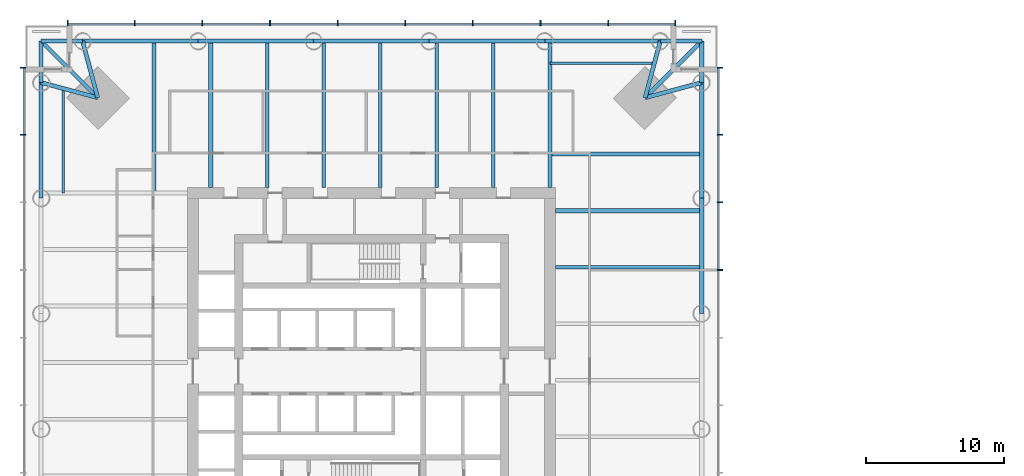
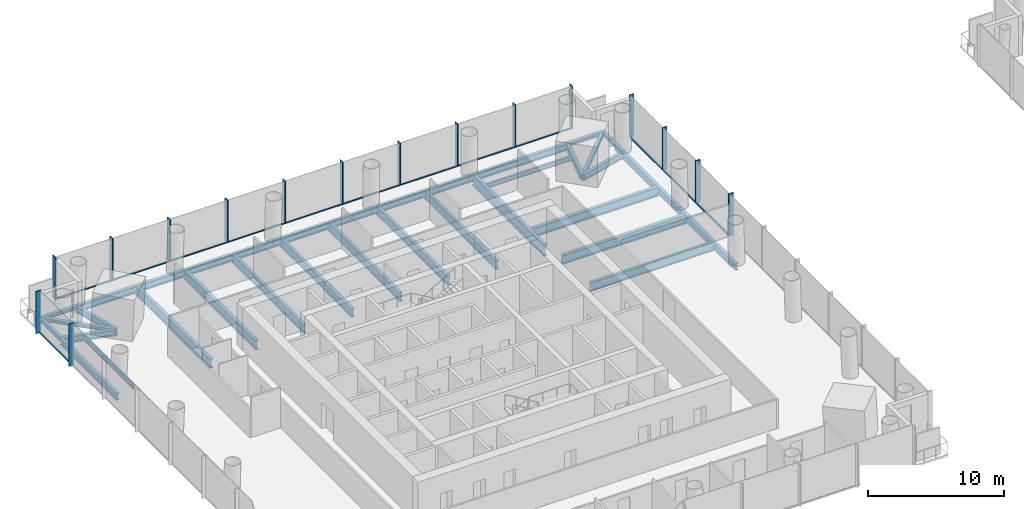
# One storey, part 4 of 19: 31 beams, 29 members, 3 elements without a shape of their own.
"""IFC4 building model written with IfcOpenShell, lengths in metres."""

import ifcopenshell
import ifcopenshell.guid

model = None  # the IFC model being written
_history = None  # IfcOwnerHistory: only IFC2X3 demands one
_inside = {}  # id of a spatial element -> (the spatial element, [elements in it])
_under = {}  # id of a project, library or spatial element -> (it, [spatial elements below it])
_declared = {}  # id of a project -> (the project, [libraries it declares])
_typed = {}  # id of a type object -> (the type object, [elements of that type])
_made_of = {}  # id of a material, layer set ... -> (it, [elements and type objects made of it])


def new_model(schema):
    """Start an empty IFC model of exactly this schema.

    Asked for "IFC4X3", IfcOpenShell would pick the latest addendum, in which some entities
    have other attributes; the version numbers below select the first issue.
    IFC2X3 requires an IfcOwnerHistory on every rooted entity: one is made here for all.
    """
    global model, _history
    if schema == "IFC4X3":
        model = ifcopenshell.file(schema_version=(4, 3, 0, 0))
    else:
        model = ifcopenshell.file(schema=schema)
    _inside.clear()
    _under.clear()
    _declared.clear()
    _typed.clear()
    _made_of.clear()
    _history = None
    if model.schema == "IFC2X3":
        org = make("IfcOrganization", Name="unknown")
        user = make(
            "IfcPersonAndOrganization",
            ThePerson=make("IfcPerson", FamilyName="unknown"),
            TheOrganization=org,
        )
        app = make(
            "IfcApplication",
            ApplicationDeveloper=org,
            Version="unknown",
            ApplicationFullName="unknown",
            ApplicationIdentifier="unknown",
        )
        _history = make(
            "IfcOwnerHistory",
            OwningUser=user,
            OwningApplication=app,
            ChangeAction="ADDED",
            CreationDate=0,
        )
    return model


def make(cls, **values):
    """One entity of the class cls with the attributes given. An attribute that is None is left unset."""
    return model.create_entity(
        cls, **{name: value for name, value in values.items() if value is not None}
    )


def rooted(cls, **values):
    """An entity with a GlobalId (a new one), such as an element, a storey or a relation."""
    return make(cls, GlobalId=ifcopenshell.guid.new(), OwnerHistory=_history, **values)


def si_unit(unit_type, name, prefix=None):
    """IfcSIUnit, for example si_unit("LENGTHUNIT", "METRE", prefix="MILLI")."""
    return make("IfcSIUnit", UnitType=unit_type, Prefix=prefix, Name=name)


def assignment(units):
    """IfcUnitAssignment: the units of a project."""
    return None if units is None else make("IfcUnitAssignment", Units=units)


def point(xyz):
    """IfcCartesianPoint."""
    return None if xyz is None else make("IfcCartesianPoint", Coordinates=xyz)


def direction(xyz):
    """IfcDirection."""
    return None if xyz is None else make("IfcDirection", DirectionRatios=xyz)


def frame(location, z_axis=None, x_axis=None):
    """IfcAxis2Placement3D, a coordinate frame: its origin and axes. An axis left out is left unset."""
    return make(
        "IfcAxis2Placement3D",
        Location=point(location),
        Axis=direction(z_axis),
        RefDirection=direction(x_axis),
    )


def frame_2d(location, x_axis=None):
    """IfcAxis2Placement2D, a coordinate frame in the plane: its origin and x axis."""
    return make(
        "IfcAxis2Placement2D", Location=point(location), RefDirection=direction(x_axis)
    )


def origin():
    """The frame at (0, 0, 0) with its axes left unset."""
    return frame((0.0, 0.0, 0.0))


def origin_2d():
    """The frame at (0, 0) in the plane with its x axis left unset."""
    return frame_2d((0.0, 0.0))


def place(relative_to, where):
    """IfcLocalPlacement: puts the frame where relative to a parent placement (None: the world)."""
    return make(
        "IfcLocalPlacement", PlacementRelTo=relative_to, RelativePlacement=where
    )


def context(
    kind, dimensions, precision=None, world=None, true_north=None, identifier=None
):
    """IfcGeometricRepresentationContext, for example the 3D "Model" context."""
    return make(
        "IfcGeometricRepresentationContext",
        ContextIdentifier=identifier,
        ContextType=kind,
        CoordinateSpaceDimension=dimensions,
        Precision=precision,
        WorldCoordinateSystem=world,
        TrueNorth=true_north,
    )


def subcontext(parent, identifier, kind, view, scale=None):
    """IfcGeometricRepresentationSubContext, for example "Body" below "Model"."""
    return make(
        "IfcGeometricRepresentationSubContext",
        ContextIdentifier=identifier,
        ContextType=kind,
        ParentContext=parent,
        TargetScale=scale,
        TargetView=view,
    )


def project(units=None, contexts=None):
    """IfcProject with its units and contexts."""
    return rooted(
        "IfcProject",
        Name="project",
        RepresentationContexts=contexts,
        UnitsInContext=assignment(units),
    )


def spatial(cls, under=None, at=None, **own):
    """A site, building, storey or space (cls), placed at a placement, below another one or the project."""
    s = rooted(cls, ObjectPlacement=at, **own)
    if under is not None:
        _under.setdefault(under.id(), (under, []))[1].append(s)
    return s


def profile(cls, at=None, kind="AREA", **sizes):
    """A parametric profile (cls). Its sizes go by their IFC names, for example OverallWidth=200.0."""
    return make(cls, ProfileType=kind, Position=at, **sizes)


def rectangle(**sizes):
    """IfcRectangleProfileDef."""
    return profile("IfcRectangleProfileDef", **sizes)


def i_section(**sizes):
    """IfcIShapeProfileDef."""
    return profile("IfcIShapeProfileDef", **sizes)


def extrude(swept, where, along, depth):
    """IfcExtrudedAreaSolid: the profile swept, set in the frame where, extruded along a direction by depth."""
    return make(
        "IfcExtrudedAreaSolid",
        SweptArea=swept,
        Position=where,
        ExtrudedDirection=direction(along),
        Depth=depth,
    )


def shape(context_of_items, identifier, shape_type, items):
    """IfcShapeRepresentation: the items that make up one representation, for example the "Body"."""
    return make(
        "IfcShapeRepresentation",
        ContextOfItems=context_of_items,
        RepresentationIdentifier=identifier,
        RepresentationType=shape_type,
        Items=items,
    )


def material(Name=None, Category=None):
    """IfcMaterial."""
    return make("IfcMaterial", Name=Name, Category=Category)


def material_profile(
    of_material, cross_section, Name=None, Category=None, Priority=None
):
    """IfcMaterialProfile: a cross section and its material."""
    return make(
        "IfcMaterialProfile",
        Name=Name,
        Material=of_material,
        Profile=cross_section,
        Priority=Priority,
        Category=Category,
    )


def profile_set(profiles, Name=None, composite=None):
    """IfcMaterialProfileSet."""
    return make(
        "IfcMaterialProfileSet",
        Name=Name,
        MaterialProfiles=profiles,
        CompositeProfile=composite,
    )


def made_of(thing, what):
    """Note that an element or type object is made of a material, layer set ...; save() writes the relation."""
    if what is not None:
        _made_of.setdefault(what.id(), (what, []))[1].append(thing)
    return thing


def type_object(cls, material=None, **own):
    """A type object (cls), such as IfcWallType, which elements share."""
    return made_of(rooted(cls, **own), material)


def element(
    cls,
    number,
    at=None,
    inside=None,
    cuts=None,
    type_object=None,
    material=None,
    context=None,
    identifier="Body",
    shape_type=None,
    held_by="IfcProductDefinitionShape",
    body=None,
    shapes=None,
    **own,
):
    """One element of the class cls, such as IfcWall. Its Tag is "e" and its number.

    at: its placement. inside: the storey or other place that contains it. cuts: it is an
    opening in that element (IfcRelVoidsElement). A single representation is given by context,
    identifier, shape_type and body (its items); several are given by shapes. held_by: the class
    of the entity that holds the representations. save() writes the other relations.
    """
    e = rooted(cls, Tag="e%d" % number, ObjectPlacement=at, **own)
    if body is not None:
        shapes = [shape(context, identifier, shape_type, body)]
    if shapes is not None:
        e.Representation = make(held_by, Representations=shapes)
    if inside is not None:
        _inside.setdefault(inside.id(), (inside, []))[1].append(e)
    if cuts is not None:
        rooted(
            "IfcRelVoidsElement", RelatingBuildingElement=cuts, RelatedOpeningElement=e
        )
    if type_object is not None:
        _typed.setdefault(type_object.id(), (type_object, []))[1].append(e)
    return made_of(e, material)


def aggregate(whole, parts):
    """IfcRelAggregates: a whole, such as a stair, and the parts it consists of."""
    return rooted("IfcRelAggregates", RelatingObject=whole, RelatedObjects=parts)


def save(model, path):
    """Write the relations noted so far, then the file.

    IfcRelAggregates (storeys below a building ...), IfcRelContainedInSpatialStructure (elements
    in a storey), IfcRelDefinesByType, IfcRelAssociatesMaterial and IfcRelDeclares: one each for
    every whole, place, type object, material and project.
    """
    for whole, parts in _under.values():
        aggregate(whole, parts)
    for where, things in _inside.values():
        rooted(
            "IfcRelContainedInSpatialStructure",
            RelatedElements=things,
            RelatingStructure=where,
        )
    for kind, things in _typed.values():
        rooted("IfcRelDefinesByType", RelatedObjects=things, RelatingType=kind)
    for what, things in _made_of.values():
        rooted("IfcRelAssociatesMaterial", RelatedObjects=things, RelatingMaterial=what)
    for by, libraries in _declared.values():
        rooted("IfcRelDeclares", RelatingContext=by, RelatedDefinitions=libraries)
    model.write(path)


model = new_model("IFC4")

# Units and contexts
model_context = context("Model", 3, precision=1e-05, world=origin(), true_north=direction((0.0, 1.0)))
body_context = subcontext(model_context, "Body", "Model", "MODEL_VIEW")
ifc_project = project(units=[si_unit("LENGTHUNIT", "METRE"), si_unit("AREAUNIT", "SQUARE_METRE"), si_unit("VOLUMEUNIT", "CUBIC_METRE"), si_unit("PLANEANGLEUNIT", "RADIAN"), si_unit("MASSUNIT", "GRAM", prefix="KILO")], contexts=[model_context])

# Site, building, storey
site_placement = place(None, origin())
site = spatial("IfcSite", under=ifc_project, at=site_placement, CompositionType="ELEMENT")
building_placement = place(site_placement, origin())
building = spatial("IfcBuilding", under=site, at=building_placement, Name="Ostroluk Exchange", CompositionType="ELEMENT")
storey_placement = place(building_placement, frame((0.0, 0.0, 24.800048828125)))
storey = spatial("IfcBuildingStorey", under=building, at=storey_placement, Name="L05", CompositionType="ELEMENT", Elevation=24.800048828125)

# Beams
ifc_material_1 = material(Name="Steel S355", Category="steel")
ifc_material_profile_1 = material_profile(ifc_material_1, i_section(OverallWidth=0.300048828125, OverallDepth=0.300048828125, WebThickness=0.010986328125, FlangeThickness=0.01904296875, FilletRadius=0.027099609375, at=origin_2d()), Name="HEB 300")
ifc_profile_set_1 = profile_set([ifc_material_profile_1], Name="Steel S355")
beam_type_1 = type_object("IfcBeamType", Name="Balcony beam HEB 300", PredefinedType="BEAM", material=ifc_profile_set_1)
for number, where, z_axis, x_axis, name in (
    (1, (68.878662109375, 66.878662109375, -0.330078125), (0.0, 1.0, 0.0), (-1.0, 0.0, 0.0), "T1 east balcony beam a"),
    (2, (65.878662109375, 69.878662109375, -0.330078125), (1.0, 0.0, 0.0), (0.0, 1.0, 0.0), "T1 east balcony beam b"),
):
    element("IfcBeam", number, at=place(storey_placement, frame(where, z_axis=z_axis, x_axis=x_axis)), inside=storey, type_object=beam_type_1, Name=name, PredefinedType="BEAM", context=body_context, shape_type="SweptSolid", body=[
        extrude(i_section(OverallWidth=0.300048828125, OverallDepth=0.300048828125, WebThickness=0.010986328125, FlangeThickness=0.01904296875, FilletRadius=0.027099609375, at=origin_2d()), origin(), (0.0, 0.0, 1.0), 3.0),
    ])
beam_1_placement = place(storey_placement, frame((64.778564453125, 65.778564453125, -0.330078125), z_axis=(0.707106781187, 0.707106781187, 0.0), x_axis=(-0.707106781187, 0.707106781187, 0.0)))
element("IfcBeam", 3, at=beam_1_placement, inside=storey, type_object=beam_type_1, Name="T1 east balcony beam c", PredefinedType="BEAM", context=body_context, shape_type="SweptSolid", body=[
    extrude(i_section(OverallWidth=0.300048828125, OverallDepth=0.300048828125, WebThickness=0.010986328125, FlangeThickness=0.01904296875, FilletRadius=0.027099609375, at=origin_2d()), origin(), (0.0, 0.0, 1.0), 5.79833984375),
])
for number, where, z_axis, x_axis, name in (
    (4, (24.121337890625, 69.878662109375, -0.330078125), (-1.0, 0.0, 0.0), (0.0, -1.0, 0.0), "T1 north balcony beam a"),
    (5, (21.121337890625, 66.878662109375, -0.330078125), (0.0, 1.0, 0.0), (-1.0, 0.0, 0.0), "T1 north balcony beam b"),
):
    element("IfcBeam", number, at=place(storey_placement, frame(where, z_axis=z_axis, x_axis=x_axis)), inside=storey, type_object=beam_type_1, Name=name, PredefinedType="BEAM", context=body_context, shape_type="SweptSolid", body=[
        extrude(i_section(OverallWidth=0.300048828125, OverallDepth=0.300048828125, WebThickness=0.010986328125, FlangeThickness=0.01904296875, FilletRadius=0.027099609375, at=origin_2d()), origin(), (0.0, 0.0, 1.0), 3.0),
    ])
beam_2_placement = place(storey_placement, frame((25.221435546875, 65.778564453125, -0.330078125), z_axis=(-0.707106781187, 0.707106781187, 0.0), x_axis=(-0.707106781187, -0.707106781187, 0.0)))
element("IfcBeam", 6, at=beam_2_placement, inside=storey, type_object=beam_type_1, Name="T1 north balcony beam c", PredefinedType="BEAM", context=body_context, shape_type="SweptSolid", body=[
    extrude(i_section(OverallWidth=0.300048828125, OverallDepth=0.300048828125, WebThickness=0.010986328125, FlangeThickness=0.01904296875, FilletRadius=0.027099609375, at=origin_2d()), origin(), (0.0, 0.0, 1.0), 5.79833984375),
])
ifc_material_2 = material(Name="Steel S355", Category="steel")
ifc_material_profile_2 = material_profile(ifc_material_2, i_section(OverallWidth=0.300048828125, OverallDepth=0.550048828125, WebThickness=0.014892578125, FlangeThickness=0.029052734375, FilletRadius=0.027099609375, at=origin_2d()), Name="HEB 550")
ifc_profile_set_2 = profile_set([ifc_material_profile_2], Name="Steel S355")
beam_type_2 = type_object("IfcBeamType", Name="Corner edge beam HEB 550", PredefinedType="SPANDREL", material=ifc_profile_set_2)
for number, where, z_axis, x_axis, name in (
    (7, (64.778564453125, 65.778564453125, -0.455078125), (0.965838624319, 0.259144268261, 0.0), (-0.259144268261, 0.965838624319, 0.0), "T1 east corner edge beam a"),
    (8, (64.778564453125, 65.778564453125, -0.455078125), (0.259144268261, 0.965838624319, 0.0), (-0.965838624319, 0.259144268261, 0.0), "T1 east corner edge beam b"),
    (9, (25.221435546875, 65.778564453125, -0.455078125), (-0.259144268261, 0.965838624319, 0.0), (-0.965838624319, -0.259144268261, 0.0), "T1 north corner edge beam a"),
    (10, (25.221435546875, 65.778564453125, -0.455078125), (-0.965838624319, 0.259144268261, 0.0), (-0.259144268261, -0.965838624319, 0.0), "T1 north corner edge beam b"),
):
    element("IfcBeam", number, at=place(storey_placement, frame(where, z_axis=z_axis, x_axis=x_axis)), inside=storey, type_object=beam_type_2, Name=name, PredefinedType="SPANDREL", context=body_context, shape_type="SweptSolid", body=[
        extrude(i_section(OverallWidth=0.300048828125, OverallDepth=0.550048828125, WebThickness=0.014892578125, FlangeThickness=0.029052734375, FilletRadius=0.027099609375, at=origin_2d()), origin(), (0.0, 0.0, 1.0), 4.2451171875),
    ])
ifc_material_3 = material(Name="Steel S355", Category="steel")
ifc_material_profile_3 = material_profile(ifc_material_3, i_section(OverallWidth=0.302978515625, OverallDepth=0.81396484375, WebThickness=0.02099609375, FlangeThickness=0.0400390625, FilletRadius=0.030029296875, at=origin_2d()), Name="HEM 800")
ifc_profile_set_3 = profile_set([ifc_material_profile_3], Name="Steel S355")
beam_type_3 = type_object("IfcBeamType", Name="Floor beam HEM 800", PredefinedType="BEAM", material=ifc_profile_set_3)
beam_3_placement = place(storey_placement, frame((58.300048828125, 57.619140625, -0.587158203125), z_axis=(1.0, 0.0, 0.0), x_axis=(0.0, 1.0, 0.0)))
element("IfcBeam", 11, at=beam_3_placement, inside=storey, type_object=beam_type_3, Name="T1 east floor beam 6", PredefinedType="BEAM", context=body_context, shape_type="SweptSolid", body=[
    extrude(i_section(OverallWidth=0.302978515625, OverallDepth=0.81396484375, WebThickness=0.02099609375, FlangeThickness=0.0400390625, FilletRadius=0.030029296875, at=origin_2d()), origin(), (0.0, 0.0, 1.0), 10.57861328125),
])
beam_4_placement = place(storey_placement, frame((57.89990234375, 61.70556640625, -0.587158203125), z_axis=(1.0, 0.0, 0.0), x_axis=(0.0, 1.0, 0.0)))
element("IfcBeam", 12, at=beam_4_placement, inside=storey, type_object=beam_type_3, Name="T1 east floor beam 7", PredefinedType="BEAM", context=body_context, shape_type="SweptSolid", body=[
    extrude(i_section(OverallWidth=0.302978515625, OverallDepth=0.81396484375, WebThickness=0.02099609375, FlangeThickness=0.0400390625, FilletRadius=0.030029296875, at=origin_2d()), origin(), (0.0, 0.0, 1.0), 10.978759765625),
])
beam_5_placement = place(storey_placement, frame((33.380859375, 59.300048828125, -0.587158203125), z_axis=(0.0, 1.0, 0.0), x_axis=(-1.0, 0.0, 0.0)))
element("IfcBeam", 13, at=beam_5_placement, inside=storey, type_object=beam_type_3, Name="T1 north floor beam 6", PredefinedType="BEAM", context=body_context, shape_type="SweptSolid", body=[
    extrude(i_section(OverallWidth=0.302978515625, OverallDepth=0.81396484375, WebThickness=0.02099609375, FlangeThickness=0.0400390625, FilletRadius=0.030029296875, at=origin_2d()), origin(), (0.0, 0.0, 1.0), 10.57861328125),
])
beam_6_placement = place(storey_placement, frame((29.29443359375, 58.89990234375, -0.587158203125), z_axis=(0.0, 1.0, 0.0), x_axis=(-1.0, 0.0, 0.0)))
element("IfcBeam", 14, at=beam_6_placement, inside=storey, type_object=beam_type_3, Name="T1 north floor beam 7", PredefinedType="BEAM", context=body_context, shape_type="SweptSolid", body=[
    extrude(i_section(OverallWidth=0.302978515625, OverallDepth=0.81396484375, WebThickness=0.02099609375, FlangeThickness=0.0400390625, FilletRadius=0.030029296875, at=origin_2d()), origin(), (0.0, 0.0, 1.0), 10.978759765625),
])
ifc_material_4 = material(Name="Steel S355", Category="steel")
ifc_material_profile_4 = material_profile(ifc_material_4, i_section(OverallWidth=0.179931640625, OverallDepth=0.39990234375, WebThickness=0.008544921875, FlangeThickness=0.013427734375, FilletRadius=0.02099609375, at=origin_2d()), Name="IPE 400")
ifc_profile_set_4 = profile_set([ifc_material_profile_4], Name="Steel S355")
beam_type_4 = type_object("IfcBeamType", Name="Floor beam IPE 400", PredefinedType="BEAM", material=ifc_profile_set_4)
for number, where, z_axis, x_axis, name in (
    (15, (57.89990234375, 68.278564453125, -0.380126953125), (1.0, 0.0, 0.0), (0.0, 1.0, 0.0), "T1 east floor beam 8"),
    (16, (22.721435546875, 58.89990234375, -0.380126953125), (0.0, 1.0, 0.0), (-1.0, 0.0, 0.0), "T1 north floor beam 8"),
):
    element("IfcBeam", number, at=place(storey_placement, frame(where, z_axis=z_axis, x_axis=x_axis)), inside=storey, type_object=beam_type_4, Name=name, PredefinedType="BEAM", context=body_context, shape_type="SweptSolid", body=[
        extrude(i_section(OverallWidth=0.179931640625, OverallDepth=0.39990234375, WebThickness=0.008544921875, FlangeThickness=0.013427734375, FilletRadius=0.02099609375, at=origin_2d()), origin(), (0.0, 0.0, 1.0), 7.54931640625),
    ])
ifc_material_5 = material(Name="Steel S355", Category="steel")
ifc_material_profile_5 = material_profile(ifc_material_5, i_section(OverallWidth=0.26806640625, OverallDepth=0.77001953125, WebThickness=0.015625, FlangeThickness=0.025390625, FilletRadius=0.01708984375, at=origin_2d()), Name="IPE 750x196")
ifc_profile_set_5 = profile_set([ifc_material_profile_5], Name="Steel S355")
beam_type_5 = type_object("IfcBeamType", Name="Floor beam IPE 750x196", PredefinedType="BEAM", material=ifc_profile_set_5)
for number, where, z_axis, x_axis, name in (
    (17, (58.300048828125, 53.532470703125, -0.56494140625), (1.0, 0.0, 0.0), (0.0, 1.0, 0.0), "T1 east floor beam 5"),
    (18, (53.8134765625, 59.300048828125, -0.56494140625), (0.0, 1.0, 0.0), (-1.0, 0.0, 0.0), "T1 north floor beam 1"),
    (19, (49.72705078125, 59.300048828125, -0.56494140625), (0.0, 1.0, 0.0), (-1.0, 0.0, 0.0), "T1 north floor beam 2"),
    (20, (45.640380859375, 59.300048828125, -0.56494140625), (0.0, 1.0, 0.0), (-1.0, 0.0, 0.0), "T1 north floor beam 3"),
    (21, (41.553955078125, 59.300048828125, -0.56494140625), (0.0, 1.0, 0.0), (-1.0, 0.0, 0.0), "T1 north floor beam 4"),
    (22, (37.467529296875, 59.300048828125, -0.56494140625), (0.0, 1.0, 0.0), (-1.0, 0.0, 0.0), "T1 north floor beam 5"),
):
    element("IfcBeam", number, at=place(storey_placement, frame(where, z_axis=z_axis, x_axis=x_axis)), inside=storey, type_object=beam_type_5, Name=name, PredefinedType="BEAM", context=body_context, shape_type="SweptSolid", body=[
        extrude(i_section(OverallWidth=0.26806640625, OverallDepth=0.77001953125, WebThickness=0.015625, FlangeThickness=0.025390625, FilletRadius=0.01708984375, at=origin_2d()), origin(), (0.0, 0.0, 1.0), 10.57861328125),
    ])
ifc_material_6 = material(Name="Steel S355", Category="steel")
ifc_material_profile_6 = material_profile(ifc_material_6, i_section(OverallWidth=0.302001953125, OverallDepth=1.008056640625, WebThickness=0.02099609375, FlangeThickness=0.0400390625, FilletRadius=0.030029296875, at=origin_2d()), Name="HEM 1000")
ifc_profile_set_6 = profile_set([ifc_material_profile_6], Name="Steel S355")
beam_type_6 = type_object("IfcBeamType", Name="Girder HEM 1000", PredefinedType="BEAM", material=ifc_profile_set_6)
beam_7_placement = place(storey_placement, frame((57.89990234375, 59.300048828125, -0.68408203125), z_axis=(0.0, 1.0, 0.0), x_axis=(-1.0, 0.0, 0.0)))
element("IfcBeam", 23, at=beam_7_placement, inside=storey, type_object=beam_type_6, Name="T1 east girder", PredefinedType="BEAM", context=body_context, shape_type="SweptSolid", body=[
    extrude(i_section(OverallWidth=0.302001953125, OverallDepth=1.008056640625, WebThickness=0.02099609375, FlangeThickness=0.0400390625, FilletRadius=0.030029296875, at=origin_2d()), origin(), (0.0, 0.0, 1.0), 10.57861328125),
])
ifc_material_7 = material(Name="Steel S355", Category="steel")
ifc_material_profile_7 = material_profile(ifc_material_7, i_section(OverallWidth=0.300048828125, OverallDepth=0.60009765625, WebThickness=0.015380859375, FlangeThickness=0.030029296875, FilletRadius=0.027099609375, at=origin_2d()), Name="HEB 600")
ifc_profile_set_7 = profile_set([ifc_material_profile_7], Name="Steel S355")
beam_type_7 = type_object("IfcBeamType", Name="Moment-connected edge beam HEB 600", PredefinedType="SPANDREL", material=ifc_profile_set_7)
beam_8_placement = place(storey_placement, frame((68.878662109375, 50.17578125, -0.47998046875), z_axis=(0.0, 1.0, 0.0), x_axis=(-1.0, 0.0, 0.0)))
element("IfcBeam", 24, at=beam_8_placement, inside=storey, type_object=beam_type_7, Name="T1 east edge beam 4", PredefinedType="SPANDREL", context=body_context, shape_type="SweptSolid", body=[
    extrude(i_section(OverallWidth=0.300048828125, OverallDepth=0.60009765625, WebThickness=0.015380859375, FlangeThickness=0.030029296875, FilletRadius=0.027099609375, at=origin_2d()), origin(), (0.0, 0.0, 1.0), 8.351318359375),
])
for number, where, z_axis, x_axis, name in (
    (25, (68.878662109375, 58.527099609375, -0.47998046875), (0.0, 1.0, 0.0), (-1.0, 0.0, 0.0), "T1 east edge beam 5"),
    (26, (65.878662109375, 69.878662109375, -0.47998046875), (-1.0, 0.0, 0.0), (0.0, -1.0, 0.0), "T1 north edge beam 1"),
):
    element("IfcBeam", number, at=place(storey_placement, frame(where, z_axis=z_axis, x_axis=x_axis)), inside=storey, type_object=beam_type_7, Name=name, PredefinedType="SPANDREL", context=body_context, shape_type="SweptSolid", body=[
        extrude(i_section(OverallWidth=0.300048828125, OverallDepth=0.60009765625, WebThickness=0.015380859375, FlangeThickness=0.030029296875, FilletRadius=0.027099609375, at=origin_2d()), origin(), (0.0, 0.0, 1.0), 8.3515625),
    ])
beam_9_placement = place(storey_placement, frame((57.527099609375, 69.878662109375, -0.47998046875), z_axis=(-1.0, 0.0, 0.0), x_axis=(0.0, -1.0, 0.0)))
element("IfcBeam", 27, at=beam_9_placement, inside=storey, type_object=beam_type_7, Name="T1 north edge beam 2", PredefinedType="SPANDREL", context=body_context, shape_type="SweptSolid", body=[
    extrude(i_section(OverallWidth=0.300048828125, OverallDepth=0.60009765625, WebThickness=0.015380859375, FlangeThickness=0.030029296875, FilletRadius=0.027099609375, at=origin_2d()), origin(), (0.0, 0.0, 1.0), 8.351318359375),
])
beam_10_placement = place(storey_placement, frame((49.17578125, 69.878662109375, -0.47998046875), z_axis=(-1.0, 0.0, 0.0), x_axis=(0.0, -1.0, 0.0)))
element("IfcBeam", 28, at=beam_10_placement, inside=storey, type_object=beam_type_7, Name="T1 north edge beam 3", PredefinedType="SPANDREL", context=body_context, shape_type="SweptSolid", body=[
    extrude(i_section(OverallWidth=0.300048828125, OverallDepth=0.60009765625, WebThickness=0.015380859375, FlangeThickness=0.030029296875, FilletRadius=0.027099609375, at=origin_2d()), origin(), (0.0, 0.0, 1.0), 8.3515625),
])
beam_11_placement = place(storey_placement, frame((40.82421875, 69.878662109375, -0.47998046875), z_axis=(-1.0, 0.0, 0.0), x_axis=(0.0, -1.0, 0.0)))
element("IfcBeam", 29, at=beam_11_placement, inside=storey, type_object=beam_type_7, Name="T1 north edge beam 4", PredefinedType="SPANDREL", context=body_context, shape_type="SweptSolid", body=[
    extrude(i_section(OverallWidth=0.300048828125, OverallDepth=0.60009765625, WebThickness=0.015380859375, FlangeThickness=0.030029296875, FilletRadius=0.027099609375, at=origin_2d()), origin(), (0.0, 0.0, 1.0), 8.351318359375),
])
for number, where, z_axis, x_axis, name in (
    (30, (32.472900390625, 69.878662109375, -0.47998046875), (-1.0, 0.0, 0.0), (0.0, -1.0, 0.0), "T1 north edge beam 5"),
    (31, (21.121337890625, 66.878662109375, -0.47998046875), (0.0, -1.0, 0.0), (1.0, 0.0, 0.0), "T1 west edge beam 1"),
):
    element("IfcBeam", number, at=place(storey_placement, frame(where, z_axis=z_axis, x_axis=x_axis)), inside=storey, type_object=beam_type_7, Name=name, PredefinedType="SPANDREL", context=body_context, shape_type="SweptSolid", body=[
        extrude(i_section(OverallWidth=0.300048828125, OverallDepth=0.60009765625, WebThickness=0.015380859375, FlangeThickness=0.030029296875, FilletRadius=0.027099609375, at=origin_2d()), origin(), (0.0, 0.0, 1.0), 8.3515625),
    ])

# Curtain wall, members
ifc_material_8 = material(Name="Laminated clear glass", Category="glass")
curtain_wall_type = type_object("IfcCurtainWallType", Name="Office tower facade", PredefinedType="USERDEFINED", material=ifc_material_8)
curtain_wall_1_placement = place(storey_placement, origin())
curtain_wall_1 = element("IfcCurtainWall", 32, at=curtain_wall_1_placement, inside=storey, type_object=curtain_wall_type, Name="Office tower east facade L05", ObjectType="UNITISED CURTAIN WALL", PredefinedType="USERDEFINED")
ifc_material_9 = material(Name="Aluminium mullion", Category="aluminium")
ifc_material_profile_8 = material_profile(ifc_material_9, rectangle(XDim=0.14990234375, YDim=0.080078125, at=origin_2d()), Name="Sill transom 80 x 150")
ifc_profile_set_8 = profile_set([ifc_material_profile_8], Name="Aluminium mullion")
member_type_1 = type_object("IfcMemberType", Name="Sill transom 80 x 150", PredefinedType="USERDEFINED", material=ifc_profile_set_8)
member_1_placement = place(storey_placement, frame((70.074951171875, 53.373291015625, 0.0400390625), z_axis=(0.0, 1.0, 0.0), x_axis=(-1.0, 0.0, 0.0)))
member_1 = element("IfcMember", 33, at=member_1_placement, type_object=member_type_1, Name="CW-O1 transom 7.1", ObjectType="TRANSOM", PredefinedType="USERDEFINED", context=body_context, shape_type="SweptSolid", body=[
    extrude(rectangle(XDim=0.14990234375, YDim=0.080078125, at=origin_2d()), origin(), (0.0, 0.0, 1.0), 4.808837890625),
])
member_2_placement = place(storey_placement, frame((70.074951171875, 58.26220703125, 0.0400390625), z_axis=(0.0, 1.0, 0.0), x_axis=(-1.0, 0.0, 0.0)))
member_2 = element("IfcMember", 34, at=member_2_placement, type_object=member_type_1, Name="CW-O1 transom 8.1", ObjectType="TRANSOM", PredefinedType="USERDEFINED", context=body_context, shape_type="SweptSolid", body=[
    extrude(rectangle(XDim=0.14990234375, YDim=0.080078125, at=origin_2d()), origin(), (0.0, 0.0, 1.0), 4.808837890625),
])
member_3_placement = place(storey_placement, frame((70.074951171875, 63.151123046875, 0.0400390625), z_axis=(0.0, 1.0, 0.0), x_axis=(-1.0, 0.0, 0.0)))
member_3 = element("IfcMember", 35, at=member_3_placement, type_object=member_type_1, Name="CW-O1 transom 9.1", ObjectType="TRANSOM", PredefinedType="USERDEFINED", context=body_context, shape_type="SweptSolid", body=[
    extrude(rectangle(XDim=0.14990234375, YDim=0.080078125, at=origin_2d()), origin(), (0.0, 0.0, 1.0), 4.768798828125),
])

curtain_wall_2_placement = place(storey_placement, origin())
curtain_wall_2 = element("IfcCurtainWall", 36, at=curtain_wall_2_placement, inside=storey, type_object=curtain_wall_type, Name="Office tower north facade L05", ObjectType="UNITISED CURTAIN WALL", PredefinedType="USERDEFINED")
member_4_placement = place(storey_placement, frame((66.919921875, 71.074951171875, 0.0400390625), z_axis=(-1.0, 0.0, 0.0), x_axis=(0.0, -1.0, 0.0)))
member_4 = element("IfcMember", 37, at=member_4_placement, type_object=member_type_1, Name="CW-O1 transom 1.1", ObjectType="TRANSOM", PredefinedType="USERDEFINED", context=body_context, shape_type="SweptSolid", body=[
    extrude(rectangle(XDim=0.14990234375, YDim=0.080078125, at=origin_2d()), origin(), (0.0, 0.0, 1.0), 4.768798828125),
])
member_5_placement = place(storey_placement, frame((62.071044921875, 71.074951171875, 0.0400390625), z_axis=(-1.0, 0.0, 0.0), x_axis=(0.0, -1.0, 0.0)))
member_5 = element("IfcMember", 38, at=member_5_placement, type_object=member_type_1, Name="CW-O1 transom 2.1", ObjectType="TRANSOM", PredefinedType="USERDEFINED", context=body_context, shape_type="SweptSolid", body=[
    extrude(rectangle(XDim=0.14990234375, YDim=0.080078125, at=origin_2d()), origin(), (0.0, 0.0, 1.0), 4.808837890625),
])
member_6_placement = place(storey_placement, frame((57.18212890625, 71.074951171875, 0.0400390625), z_axis=(-1.0, 0.0, 0.0), x_axis=(0.0, -1.0, 0.0)))
member_6 = element("IfcMember", 39, at=member_6_placement, type_object=member_type_1, Name="CW-O1 transom 3.1", ObjectType="TRANSOM", PredefinedType="USERDEFINED", context=body_context, shape_type="SweptSolid", body=[
    extrude(rectangle(XDim=0.14990234375, YDim=0.080078125, at=origin_2d()), origin(), (0.0, 0.0, 1.0), 4.808837890625),
])
member_7_placement = place(storey_placement, frame((52.293212890625, 71.074951171875, 0.0400390625), z_axis=(-1.0, 0.0, 0.0), x_axis=(0.0, -1.0, 0.0)))
member_7 = element("IfcMember", 40, at=member_7_placement, type_object=member_type_1, Name="CW-O1 transom 4.1", ObjectType="TRANSOM", PredefinedType="USERDEFINED", context=body_context, shape_type="SweptSolid", body=[
    extrude(rectangle(XDim=0.14990234375, YDim=0.080078125, at=origin_2d()), origin(), (0.0, 0.0, 1.0), 4.808837890625),
])
member_8_placement = place(storey_placement, frame((47.404541015625, 71.074951171875, 0.0400390625), z_axis=(-1.0, 0.0, 0.0), x_axis=(0.0, -1.0, 0.0)))
member_8 = element("IfcMember", 41, at=member_8_placement, type_object=member_type_1, Name="CW-O1 transom 5.1", ObjectType="TRANSOM", PredefinedType="USERDEFINED", context=body_context, shape_type="SweptSolid", body=[
    extrude(rectangle(XDim=0.14990234375, YDim=0.080078125, at=origin_2d()), origin(), (0.0, 0.0, 1.0), 4.80908203125),
])
member_9_placement = place(storey_placement, frame((42.515625, 71.074951171875, 0.0400390625), z_axis=(-1.0, 0.0, 0.0), x_axis=(0.0, -1.0, 0.0)))
member_9 = element("IfcMember", 42, at=member_9_placement, type_object=member_type_1, Name="CW-O1 transom 6.1", ObjectType="TRANSOM", PredefinedType="USERDEFINED", context=body_context, shape_type="SweptSolid", body=[
    extrude(rectangle(XDim=0.14990234375, YDim=0.080078125, at=origin_2d()), origin(), (0.0, 0.0, 1.0), 4.808837890625),
])
member_10_placement = place(storey_placement, frame((37.626708984375, 71.074951171875, 0.0400390625), z_axis=(-1.0, 0.0, 0.0), x_axis=(0.0, -1.0, 0.0)))
member_10 = element("IfcMember", 43, at=member_10_placement, type_object=member_type_1, Name="CW-O1 transom 7.1", ObjectType="TRANSOM", PredefinedType="USERDEFINED", context=body_context, shape_type="SweptSolid", body=[
    extrude(rectangle(XDim=0.14990234375, YDim=0.080078125, at=origin_2d()), origin(), (0.0, 0.0, 1.0), 4.808837890625),
])
member_11_placement = place(storey_placement, frame((32.73779296875, 71.074951171875, 0.0400390625), z_axis=(-1.0, 0.0, 0.0), x_axis=(0.0, -1.0, 0.0)))
member_11 = element("IfcMember", 44, at=member_11_placement, type_object=member_type_1, Name="CW-O1 transom 8.1", ObjectType="TRANSOM", PredefinedType="USERDEFINED", context=body_context, shape_type="SweptSolid", body=[
    extrude(rectangle(XDim=0.14990234375, YDim=0.080078125, at=origin_2d()), origin(), (0.0, 0.0, 1.0), 4.808837890625),
])
member_12_placement = place(storey_placement, frame((27.848876953125, 71.074951171875, 0.0400390625), z_axis=(-1.0, 0.0, 0.0), x_axis=(0.0, -1.0, 0.0)))
member_12 = element("IfcMember", 45, at=member_12_placement, type_object=member_type_1, Name="CW-O1 transom 9.1", ObjectType="TRANSOM", PredefinedType="USERDEFINED", context=body_context, shape_type="SweptSolid", body=[
    extrude(rectangle(XDim=0.14990234375, YDim=0.080078125, at=origin_2d()), origin(), (0.0, 0.0, 1.0), 4.768798828125),
])

# Curtain wall, member
curtain_wall_3_placement = place(storey_placement, origin())
curtain_wall_3 = element("IfcCurtainWall", 46, at=curtain_wall_3_placement, inside=storey, type_object=curtain_wall_type, Name="Office tower west facade L05", ObjectType="UNITISED CURTAIN WALL", PredefinedType="USERDEFINED")
member_13_placement = place(storey_placement, frame((19.925048828125, 67.919921875, 0.0400390625), z_axis=(0.0, -1.0, 0.0), x_axis=(1.0, 0.0, 0.0)))
member_13 = element("IfcMember", 47, at=member_13_placement, type_object=member_type_1, Name="CW-O1 transom 1.1", ObjectType="TRANSOM", PredefinedType="USERDEFINED", context=body_context, shape_type="SweptSolid", body=[
    extrude(rectangle(XDim=0.14990234375, YDim=0.080078125, at=origin_2d()), origin(), (0.0, 0.0, 1.0), 4.768798828125),
])

# Member
ifc_material_10 = material(Name="Aluminium mullion with limestone facing", Category="masonry")
ifc_material_profile_9 = material_profile(ifc_material_10, rectangle(XDim=0.39990234375, YDim=0.080078125, at=origin_2d()), Name="Tracery mullion 80 x 400")
ifc_profile_set_9 = profile_set([ifc_material_profile_9], Name="Aluminium mullion with limestone facing")
member_type_2 = type_object("IfcMemberType", Name="Tracery mullion 80 x 400", PredefinedType="MULLION", material=ifc_profile_set_9)
member_14_placement = place(storey_placement, frame((70.199951171875, 53.333251953125, 0.0), z_axis=(0.0, 0.0, 1.0), x_axis=(-1.0, 0.0, 0.0)))
member_14 = element("IfcMember", 48, at=member_14_placement, type_object=member_type_2, Name="CW-O1 mullion 7", PredefinedType="MULLION", context=body_context, shape_type="SweptSolid", body=[
    extrude(rectangle(XDim=0.39990234375, YDim=0.080078125, at=origin_2d()), origin(), (0.0, 0.0, 1.0), 3.800048828125),
])

member_15_placement = place(storey_placement, frame((70.199951171875, 58.22216796875, 0.0), z_axis=(0.0, 0.0, 1.0), x_axis=(-1.0, 0.0, 0.0)))
member_15 = element("IfcMember", 49, at=member_15_placement, type_object=member_type_2, Name="CW-O1 mullion 8", PredefinedType="MULLION", context=body_context, shape_type="SweptSolid", body=[
    extrude(rectangle(XDim=0.39990234375, YDim=0.080078125, at=origin_2d()), origin(), (0.0, 0.0, 1.0), 3.800048828125),
])

member_16_placement = place(storey_placement, frame((70.199951171875, 63.111083984375, 0.0), z_axis=(0.0, 0.0, 1.0), x_axis=(-1.0, 0.0, 0.0)))
member_16 = element("IfcMember", 50, at=member_16_placement, type_object=member_type_2, Name="CW-O1 mullion 9", PredefinedType="MULLION", context=body_context, shape_type="SweptSolid", body=[
    extrude(rectangle(XDim=0.39990234375, YDim=0.080078125, at=origin_2d()), origin(), (0.0, 0.0, 1.0), 3.800048828125),
])

member_17_placement = place(storey_placement, frame((70.199951171875, 67.9599609375, 0.0), z_axis=(0.0, 0.0, 1.0), x_axis=(-1.0, 0.0, 0.0)))
member_17 = element("IfcMember", 51, at=member_17_placement, type_object=member_type_2, Name="CW-O1 mullion 10", PredefinedType="MULLION", context=body_context, shape_type="SweptSolid", body=[
    extrude(rectangle(XDim=0.39990234375, YDim=0.080078125, at=origin_2d()), origin(), (0.0, 0.0, 1.0), 3.800048828125),
])

aggregate(curtain_wall_1, [member_14, member_15, member_16, member_17, member_1, member_2, member_3])

member_18_placement = place(storey_placement, frame((66.9599609375, 71.199951171875, 0.0), z_axis=(0.0, 0.0, 1.0), x_axis=(0.0, -1.0, 0.0)))
member_18 = element("IfcMember", 52, at=member_18_placement, type_object=member_type_2, Name="CW-O1 mullion 1", PredefinedType="MULLION", context=body_context, shape_type="SweptSolid", body=[
    extrude(rectangle(XDim=0.39990234375, YDim=0.080078125, at=origin_2d()), origin(), (0.0, 0.0, 1.0), 3.800048828125),
])

member_19_placement = place(storey_placement, frame((62.111083984375, 71.199951171875, 0.0), z_axis=(0.0, 0.0, 1.0), x_axis=(0.0, -1.0, 0.0)))
member_19 = element("IfcMember", 53, at=member_19_placement, type_object=member_type_2, Name="CW-O1 mullion 2", PredefinedType="MULLION", context=body_context, shape_type="SweptSolid", body=[
    extrude(rectangle(XDim=0.39990234375, YDim=0.080078125, at=origin_2d()), origin(), (0.0, 0.0, 1.0), 3.800048828125),
])

member_20_placement = place(storey_placement, frame((57.22216796875, 71.199951171875, 0.0), z_axis=(0.0, 0.0, 1.0), x_axis=(0.0, -1.0, 0.0)))
member_20 = element("IfcMember", 54, at=member_20_placement, type_object=member_type_2, Name="CW-O1 mullion 3", PredefinedType="MULLION", context=body_context, shape_type="SweptSolid", body=[
    extrude(rectangle(XDim=0.39990234375, YDim=0.080078125, at=origin_2d()), origin(), (0.0, 0.0, 1.0), 3.800048828125),
])

member_21_placement = place(storey_placement, frame((52.333251953125, 71.199951171875, 0.0), z_axis=(0.0, 0.0, 1.0), x_axis=(0.0, -1.0, 0.0)))
member_21 = element("IfcMember", 55, at=member_21_placement, type_object=member_type_2, Name="CW-O1 mullion 4", PredefinedType="MULLION", context=body_context, shape_type="SweptSolid", body=[
    extrude(rectangle(XDim=0.39990234375, YDim=0.080078125, at=origin_2d()), origin(), (0.0, 0.0, 1.0), 3.800048828125),
])

member_22_placement = place(storey_placement, frame((47.4443359375, 71.199951171875, 0.0), z_axis=(0.0, 0.0, 1.0), x_axis=(0.0, -1.0, 0.0)))
member_22 = element("IfcMember", 56, at=member_22_placement, type_object=member_type_2, Name="CW-O1 mullion 5", PredefinedType="MULLION", context=body_context, shape_type="SweptSolid", body=[
    extrude(rectangle(XDim=0.39990234375, YDim=0.080078125, at=origin_2d()), origin(), (0.0, 0.0, 1.0), 3.800048828125),
])

member_23_placement = place(storey_placement, frame((42.5556640625, 71.199951171875, 0.0), z_axis=(0.0, 0.0, 1.0), x_axis=(0.0, -1.0, 0.0)))
member_23 = element("IfcMember", 57, at=member_23_placement, type_object=member_type_2, Name="CW-O1 mullion 6", PredefinedType="MULLION", context=body_context, shape_type="SweptSolid", body=[
    extrude(rectangle(XDim=0.39990234375, YDim=0.080078125, at=origin_2d()), origin(), (0.0, 0.0, 1.0), 3.800048828125),
])

member_24_placement = place(storey_placement, frame((37.666748046875, 71.199951171875, 0.0), z_axis=(0.0, 0.0, 1.0), x_axis=(0.0, -1.0, 0.0)))
member_24 = element("IfcMember", 58, at=member_24_placement, type_object=member_type_2, Name="CW-O1 mullion 7", PredefinedType="MULLION", context=body_context, shape_type="SweptSolid", body=[
    extrude(rectangle(XDim=0.39990234375, YDim=0.080078125, at=origin_2d()), origin(), (0.0, 0.0, 1.0), 3.800048828125),
])

member_25_placement = place(storey_placement, frame((32.77783203125, 71.199951171875, 0.0), z_axis=(0.0, 0.0, 1.0), x_axis=(0.0, -1.0, 0.0)))
member_25 = element("IfcMember", 59, at=member_25_placement, type_object=member_type_2, Name="CW-O1 mullion 8", PredefinedType="MULLION", context=body_context, shape_type="SweptSolid", body=[
    extrude(rectangle(XDim=0.39990234375, YDim=0.080078125, at=origin_2d()), origin(), (0.0, 0.0, 1.0), 3.800048828125),
])

member_26_placement = place(storey_placement, frame((27.888916015625, 71.199951171875, 0.0), z_axis=(0.0, 0.0, 1.0), x_axis=(0.0, -1.0, 0.0)))
member_26 = element("IfcMember", 60, at=member_26_placement, type_object=member_type_2, Name="CW-O1 mullion 9", PredefinedType="MULLION", context=body_context, shape_type="SweptSolid", body=[
    extrude(rectangle(XDim=0.39990234375, YDim=0.080078125, at=origin_2d()), origin(), (0.0, 0.0, 1.0), 3.800048828125),
])

member_27_placement = place(storey_placement, frame((23.0400390625, 71.199951171875, 0.0), z_axis=(0.0, 0.0, 1.0), x_axis=(0.0, -1.0, 0.0)))
member_27 = element("IfcMember", 61, at=member_27_placement, type_object=member_type_2, Name="CW-O1 mullion 10", PredefinedType="MULLION", context=body_context, shape_type="SweptSolid", body=[
    extrude(rectangle(XDim=0.39990234375, YDim=0.080078125, at=origin_2d()), origin(), (0.0, 0.0, 1.0), 3.800048828125),
])

aggregate(curtain_wall_2, [member_18, member_19, member_20, member_21, member_22, member_23, member_24, member_25, member_26, member_27, member_4, member_5, member_6, member_7, member_8, member_9, member_10, member_11, member_12])

member_28_placement = place(storey_placement, frame((19.800048828125, 67.9599609375, 0.0), z_axis=(0.0, 0.0, 1.0), x_axis=(1.0, 0.0, 0.0)))
member_28 = element("IfcMember", 62, at=member_28_placement, type_object=member_type_2, Name="CW-O1 mullion 1", PredefinedType="MULLION", context=body_context, shape_type="SweptSolid", body=[
    extrude(rectangle(XDim=0.39990234375, YDim=0.080078125, at=origin_2d()), origin(), (0.0, 0.0, 1.0), 3.800048828125),
])

member_29_placement = place(storey_placement, frame((19.800048828125, 63.111083984375, 0.0), z_axis=(0.0, 0.0, 1.0), x_axis=(1.0, 0.0, 0.0)))
member_29 = element("IfcMember", 63, at=member_29_placement, type_object=member_type_2, Name="CW-O1 mullion 2", PredefinedType="MULLION", context=body_context, shape_type="SweptSolid", body=[
    extrude(rectangle(XDim=0.39990234375, YDim=0.080078125, at=origin_2d()), origin(), (0.0, 0.0, 1.0), 3.800048828125),
])

aggregate(curtain_wall_3, [member_28, member_29, member_13])

save(model, "model.ifc")
